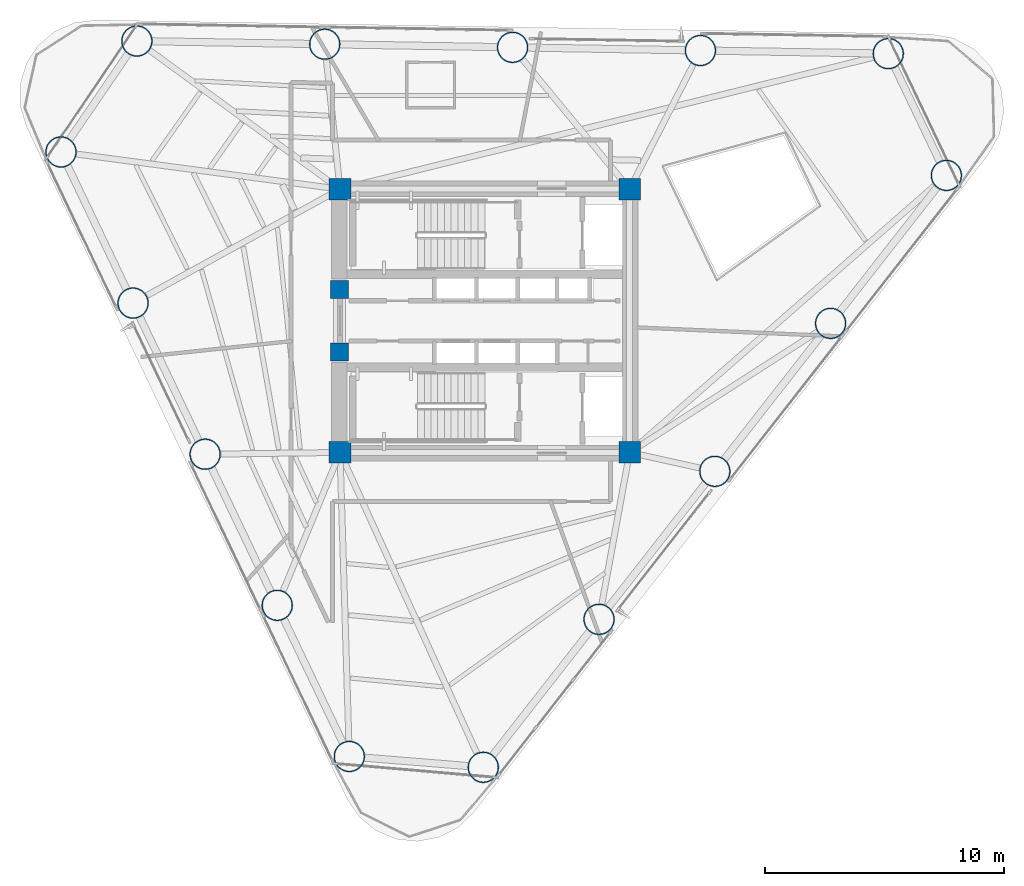
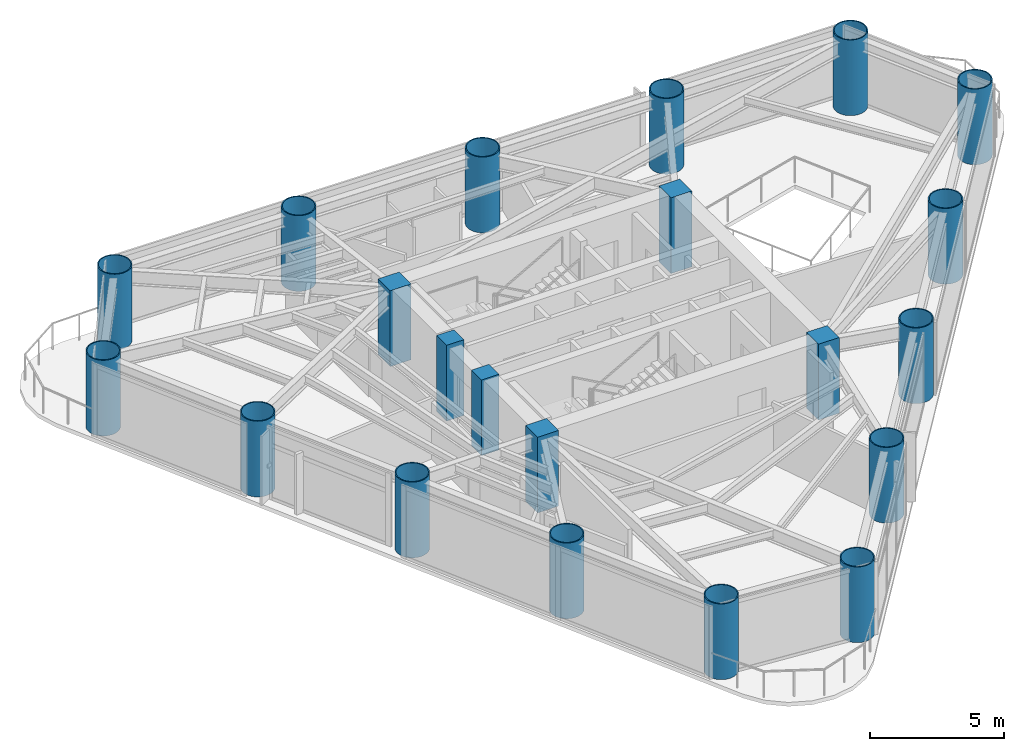
# One storey, part 1 of 10: 21 columns.
"""IFC4 building model written with IfcOpenShell, lengths in metres."""

import ifcopenshell
import ifcopenshell.guid

model = None  # the IFC model being written
_history = None  # IfcOwnerHistory: only IFC2X3 demands one
_inside = {}  # id of a spatial element -> (the spatial element, [elements in it])
_under = {}  # id of a project, library or spatial element -> (it, [spatial elements below it])
_declared = {}  # id of a project -> (the project, [libraries it declares])
_typed = {}  # id of a type object -> (the type object, [elements of that type])
_made_of = {}  # id of a material, layer set ... -> (it, [elements and type objects made of it])


def new_model(schema):
    """Start an empty IFC model of exactly this schema.

    Asked for "IFC4X3", IfcOpenShell would pick the latest addendum, in which some entities
    have other attributes; the version numbers below select the first issue.
    IFC2X3 requires an IfcOwnerHistory on every rooted entity: one is made here for all.
    """
    global model, _history
    if schema == "IFC4X3":
        model = ifcopenshell.file(schema_version=(4, 3, 0, 0))
    else:
        model = ifcopenshell.file(schema=schema)
    _inside.clear()
    _under.clear()
    _declared.clear()
    _typed.clear()
    _made_of.clear()
    _history = None
    if model.schema == "IFC2X3":
        org = make("IfcOrganization", Name="unknown")
        user = make(
            "IfcPersonAndOrganization",
            ThePerson=make("IfcPerson", FamilyName="unknown"),
            TheOrganization=org,
        )
        app = make(
            "IfcApplication",
            ApplicationDeveloper=org,
            Version="unknown",
            ApplicationFullName="unknown",
            ApplicationIdentifier="unknown",
        )
        _history = make(
            "IfcOwnerHistory",
            OwningUser=user,
            OwningApplication=app,
            ChangeAction="ADDED",
            CreationDate=0,
        )
    return model


def make(cls, **values):
    """One entity of the class cls with the attributes given. An attribute that is None is left unset."""
    return model.create_entity(
        cls, **{name: value for name, value in values.items() if value is not None}
    )


def rooted(cls, **values):
    """An entity with a GlobalId (a new one), such as an element, a storey or a relation."""
    return make(cls, GlobalId=ifcopenshell.guid.new(), OwnerHistory=_history, **values)


def si_unit(unit_type, name, prefix=None):
    """IfcSIUnit, for example si_unit("LENGTHUNIT", "METRE", prefix="MILLI")."""
    return make("IfcSIUnit", UnitType=unit_type, Prefix=prefix, Name=name)


def assignment(units):
    """IfcUnitAssignment: the units of a project."""
    return None if units is None else make("IfcUnitAssignment", Units=units)


def point(xyz):
    """IfcCartesianPoint."""
    return None if xyz is None else make("IfcCartesianPoint", Coordinates=xyz)


def direction(xyz):
    """IfcDirection."""
    return None if xyz is None else make("IfcDirection", DirectionRatios=xyz)


def frame(location, z_axis=None, x_axis=None):
    """IfcAxis2Placement3D, a coordinate frame: its origin and axes. An axis left out is left unset."""
    return make(
        "IfcAxis2Placement3D",
        Location=point(location),
        Axis=direction(z_axis),
        RefDirection=direction(x_axis),
    )


def frame_2d(location, x_axis=None):
    """IfcAxis2Placement2D, a coordinate frame in the plane: its origin and x axis."""
    return make(
        "IfcAxis2Placement2D", Location=point(location), RefDirection=direction(x_axis)
    )


def origin():
    """The frame at (0, 0, 0) with its axes left unset."""
    return frame((0.0, 0.0, 0.0))


def origin_2d():
    """The frame at (0, 0) in the plane with its x axis left unset."""
    return frame_2d((0.0, 0.0))


def place(relative_to, where):
    """IfcLocalPlacement: puts the frame where relative to a parent placement (None: the world)."""
    return make(
        "IfcLocalPlacement", PlacementRelTo=relative_to, RelativePlacement=where
    )


def context(
    kind, dimensions, precision=None, world=None, true_north=None, identifier=None
):
    """IfcGeometricRepresentationContext, for example the 3D "Model" context."""
    return make(
        "IfcGeometricRepresentationContext",
        ContextIdentifier=identifier,
        ContextType=kind,
        CoordinateSpaceDimension=dimensions,
        Precision=precision,
        WorldCoordinateSystem=world,
        TrueNorth=true_north,
    )


def subcontext(parent, identifier, kind, view, scale=None):
    """IfcGeometricRepresentationSubContext, for example "Body" below "Model"."""
    return make(
        "IfcGeometricRepresentationSubContext",
        ContextIdentifier=identifier,
        ContextType=kind,
        ParentContext=parent,
        TargetScale=scale,
        TargetView=view,
    )


def project(units=None, contexts=None):
    """IfcProject with its units and contexts."""
    return rooted(
        "IfcProject",
        Name="project",
        RepresentationContexts=contexts,
        UnitsInContext=assignment(units),
    )


def spatial(cls, under=None, at=None, **own):
    """A site, building, storey or space (cls), placed at a placement, below another one or the project."""
    s = rooted(cls, ObjectPlacement=at, **own)
    if under is not None:
        _under.setdefault(under.id(), (under, []))[1].append(s)
    return s


def profile(cls, at=None, kind="AREA", **sizes):
    """A parametric profile (cls). Its sizes go by their IFC names, for example OverallWidth=200.0."""
    return make(cls, ProfileType=kind, Position=at, **sizes)


def rectangle(**sizes):
    """IfcRectangleProfileDef."""
    return profile("IfcRectangleProfileDef", **sizes)


def hollow_circle(**sizes):
    """IfcCircleHollowProfileDef."""
    return profile("IfcCircleHollowProfileDef", **sizes)


def extrude(swept, where, along, depth):
    """IfcExtrudedAreaSolid: the profile swept, set in the frame where, extruded along a direction by depth."""
    return make(
        "IfcExtrudedAreaSolid",
        SweptArea=swept,
        Position=where,
        ExtrudedDirection=direction(along),
        Depth=depth,
    )


def shape(context_of_items, identifier, shape_type, items):
    """IfcShapeRepresentation: the items that make up one representation, for example the "Body"."""
    return make(
        "IfcShapeRepresentation",
        ContextOfItems=context_of_items,
        RepresentationIdentifier=identifier,
        RepresentationType=shape_type,
        Items=items,
    )


def source(mapping_origin, context_of_items, identifier, shape_type, items):
    """IfcRepresentationMap: a shape defined once, which mapped items show again and again."""
    return make(
        "IfcRepresentationMap",
        MappingOrigin=mapping_origin,
        MappedRepresentation=shape(context_of_items, identifier, shape_type, items),
    )


def transform(
    local_origin,
    x_axis=None,
    y_axis=None,
    z_axis=None,
    scale=None,
    scale2=None,
    scale3=None,
    uniform=True,
):
    """IfcCartesianTransformationOperator3D, or its non-uniform kind. x_axis, y_axis, z_axis: its Axis1, 2, 3."""
    if uniform:
        return make(
            "IfcCartesianTransformationOperator3D",
            Axis1=direction(x_axis),
            Axis2=direction(y_axis),
            LocalOrigin=point(local_origin),
            Scale=scale,
            Axis3=direction(z_axis),
        )
    return make(
        "IfcCartesianTransformationOperator3DnonUniform",
        Axis1=direction(x_axis),
        Axis2=direction(y_axis),
        LocalOrigin=point(local_origin),
        Scale=scale,
        Axis3=direction(z_axis),
        Scale2=scale2,
        Scale3=scale3,
    )


def mapped(mapping_source, mapping_target):
    """IfcMappedItem: shows the shape of a source again, moved by a transform."""
    return make(
        "IfcMappedItem", MappingSource=mapping_source, MappingTarget=mapping_target
    )


def material(Name=None, Category=None):
    """IfcMaterial."""
    return make("IfcMaterial", Name=Name, Category=Category)


def material_profile(
    of_material, cross_section, Name=None, Category=None, Priority=None
):
    """IfcMaterialProfile: a cross section and its material."""
    return make(
        "IfcMaterialProfile",
        Name=Name,
        Material=of_material,
        Profile=cross_section,
        Priority=Priority,
        Category=Category,
    )


def profile_set(profiles, Name=None, composite=None):
    """IfcMaterialProfileSet."""
    return make(
        "IfcMaterialProfileSet",
        Name=Name,
        MaterialProfiles=profiles,
        CompositeProfile=composite,
    )


def made_of(thing, what):
    """Note that an element or type object is made of a material, layer set ...; save() writes the relation."""
    if what is not None:
        _made_of.setdefault(what.id(), (what, []))[1].append(thing)
    return thing


def type_object(cls, material=None, **own):
    """A type object (cls), such as IfcWallType, which elements share."""
    return made_of(rooted(cls, **own), material)


def element(
    cls,
    number,
    at=None,
    inside=None,
    cuts=None,
    type_object=None,
    material=None,
    context=None,
    identifier="Body",
    shape_type=None,
    held_by="IfcProductDefinitionShape",
    body=None,
    shapes=None,
    **own,
):
    """One element of the class cls, such as IfcWall. Its Tag is "e" and its number.

    at: its placement. inside: the storey or other place that contains it. cuts: it is an
    opening in that element (IfcRelVoidsElement). A single representation is given by context,
    identifier, shape_type and body (its items); several are given by shapes. held_by: the class
    of the entity that holds the representations. save() writes the other relations.
    """
    e = rooted(cls, Tag="e%d" % number, ObjectPlacement=at, **own)
    if body is not None:
        shapes = [shape(context, identifier, shape_type, body)]
    if shapes is not None:
        e.Representation = make(held_by, Representations=shapes)
    if inside is not None:
        _inside.setdefault(inside.id(), (inside, []))[1].append(e)
    if cuts is not None:
        rooted(
            "IfcRelVoidsElement", RelatingBuildingElement=cuts, RelatedOpeningElement=e
        )
    if type_object is not None:
        _typed.setdefault(type_object.id(), (type_object, []))[1].append(e)
    return made_of(e, material)


def aggregate(whole, parts):
    """IfcRelAggregates: a whole, such as a stair, and the parts it consists of."""
    return rooted("IfcRelAggregates", RelatingObject=whole, RelatedObjects=parts)


def save(model, path):
    """Write the relations noted so far, then the file.

    IfcRelAggregates (storeys below a building ...), IfcRelContainedInSpatialStructure (elements
    in a storey), IfcRelDefinesByType, IfcRelAssociatesMaterial and IfcRelDeclares: one each for
    every whole, place, type object, material and project.
    """
    for whole, parts in _under.values():
        aggregate(whole, parts)
    for where, things in _inside.values():
        rooted(
            "IfcRelContainedInSpatialStructure",
            RelatedElements=things,
            RelatingStructure=where,
        )
    for kind, things in _typed.values():
        rooted("IfcRelDefinesByType", RelatedObjects=things, RelatingType=kind)
    for what, things in _made_of.values():
        rooted("IfcRelAssociatesMaterial", RelatedObjects=things, RelatingMaterial=what)
    for by, libraries in _declared.values():
        rooted("IfcRelDeclares", RelatingContext=by, RelatedDefinitions=libraries)
    model.write(path)


model = new_model("IFC4")

# Units and contexts
model_context = context("Model", 3, precision=1e-05, world=origin(), true_north=direction((0.0, 1.0)))
body_context = subcontext(model_context, "Body", "Model", "MODEL_VIEW")
ifc_project = project(units=[si_unit("LENGTHUNIT", "METRE"), si_unit("AREAUNIT", "SQUARE_METRE"), si_unit("VOLUMEUNIT", "CUBIC_METRE"), si_unit("PLANEANGLEUNIT", "RADIAN"), si_unit("MASSUNIT", "GRAM", prefix="KILO")], contexts=[model_context])

# Site, building, storey
site_placement = place(None, origin())
site = spatial("IfcSite", under=ifc_project, at=site_placement, CompositionType="ELEMENT")
building_placement = place(site_placement, origin())
building = spatial("IfcBuilding", under=site, at=building_placement, Name="Yunling Apex Tower", CompositionType="ELEMENT")
storey_placement = place(building_placement, frame((0.0, 0.0, 132.949951171875)))
storey = spatial("IfcBuildingStorey", under=building, at=storey_placement, Name="L32", CompositionType="ELEMENT", Elevation=132.949951171875)

# Columns
ifc_material_1 = material(Name="Concrete C60", Category="concrete")
ifc_material_profile_1 = material_profile(ifc_material_1, rectangle(XDim=0.89990234375, YDim=0.89990234375, at=origin_2d()))
ifc_profile_set_1 = profile_set([ifc_material_profile_1], Name="Concrete C60")
column_type_1 = type_object("IfcColumnType", Name="PC-SRC-3", PredefinedType="COLUMN", material=ifc_profile_set_1)
shared_shape_1 = source(origin(), body_context, "Body", "SweptSolid", [
    extrude(rectangle(XDim=0.89990234375, YDim=0.89990234375, at=origin_2d()), origin(), (0.0, 0.0, 1.0), 3.449951171875),
])
for number, where, z_axis, x_axis, name in (
    (1, (-6.050048828125, -5.5, 0.0), (0.0, 0.0, 1.0), (1.0, 0.0, 0.0), "L32 Core Spine Column CC-SW"),
    (2, (6.050048828125, -5.5, 0.0), (0.0, 0.0, 1.0), (1.0, 0.0, 0.0), "L32 Core Spine Column CC-SE"),
    (3, (6.050048828125, 5.5, 0.0), (0.0, 0.0, 1.0), (1.0, 0.0, 0.0), "L32 Core Spine Column CC-NE"),
    (4, (-6.050048828125, 5.5, 0.0), (0.0, 0.0, 1.0), (1.0, 0.0, 0.0), "L32 Core Spine Column CC-NW"),
):
    element("IfcColumn", number, at=place(storey_placement, frame(where, z_axis=z_axis, x_axis=x_axis)), inside=storey, type_object=column_type_1, Name=name, PredefinedType="COLUMN", context=body_context, shape_type="MappedRepresentation", body=[
        mapped(shared_shape_1, transform((0.0, 0.0, 0.0), scale=1.0)),
    ])
ifc_material_2 = material(Name="Concrete C50", Category="concrete")
ifc_material_profile_2 = material_profile(ifc_material_2, rectangle(XDim=0.75, YDim=0.75, at=origin_2d()))
ifc_profile_set_2 = profile_set([ifc_material_profile_2], Name="Concrete C50")
column_type_2 = type_object("IfcColumnType", Name="PC-SRC-4", PredefinedType="COLUMN", material=ifc_profile_set_2)
shared_shape_2 = source(origin(), body_context, "Body", "SweptSolid", [
    extrude(rectangle(XDim=0.75, YDim=0.75, at=origin_2d()), origin(), (0.0, 0.0, 1.0), 3.449951171875),
])
for number, where, z_axis, x_axis, name in (
    (5, (-6.074951171875, -1.300048828125, 0.0), (0.0, 0.0, 1.0), (1.0, 0.0, 0.0), "L32 Core West Portal Jamb Column S"),
    (6, (-6.074951171875, 1.300048828125, 0.0), (0.0, 0.0, 1.0), (1.0, 0.0, 0.0), "L32 Core West Portal Jamb Column N"),
):
    element("IfcColumn", number, at=place(storey_placement, frame(where, z_axis=z_axis, x_axis=x_axis)), inside=storey, type_object=column_type_2, Name=name, PredefinedType="COLUMN", context=body_context, shape_type="MappedRepresentation", body=[
        mapped(shared_shape_2, transform((0.0, 0.0, 0.0), scale=1.0)),
    ])
ifc_material_3 = material(Name="Steel Q390GJC", Category="steel")
ifc_material_profile_3 = material_profile(ifc_material_3, hollow_circle(Radius=0.64990234375, WallThickness=0.044921875, at=origin_2d()))
ifc_profile_set_3 = profile_set([ifc_material_profile_3], Name="Steel Q390GJC")
column_type_3 = type_object("IfcColumnType", Name="MC-CFST-3", PredefinedType="COLUMN", material=ifc_profile_set_3)
shared_shape_3 = source(origin(), body_context, "Body", "SweptSolid", [
    extrude(hollow_circle(Radius=0.64990234375, WallThickness=0.044921875, at=origin_2d()), origin(), (0.0, 0.0, 1.0), 3.449951171875),
])
for number, where, z_axis, x_axis, name in (
    (7, (-0.06396484375, -18.654541015625, 0.0), (0.0, 0.0, 1.0), (1.0, 0.0, 0.0), "L32 Perimeter CFST Mega-Column P01"),
    (8, (4.773193359375, -12.471923828125, 0.0), (0.0, 0.0, 1.0), (1.0, 0.0, 0.0), "L32 Perimeter CFST Mega-Column P02"),
    (9, (9.610595703125, -6.289306640625, 0.0), (0.0, 0.0, 1.0), (1.0, 0.0, 0.0), "L32 Perimeter CFST Mega-Column P03"),
    (10, (14.447998046875, -0.106689453125, 0.0), (0.0, 0.0, 1.0), (1.0, 0.0, 0.0), "L32 Perimeter CFST Mega-Column P04"),
    (11, (19.28515625, 6.075927734375, 0.0), (0.0, 0.0, 1.0), (1.0, 0.0, 0.0), "L32 Perimeter CFST Mega-Column P05"),
    (12, (16.8583984375, 11.163818359375, 0.0), (0.0, 0.0, 1.0), (1.0, 0.0, 0.0), "L32 Perimeter CFST Mega-Column P06"),
    (13, (9.009521484375, 11.295166015625, 0.0), (0.0, 0.0, 1.0), (1.0, 0.0, 0.0), "L32 Perimeter CFST Mega-Column P07"),
    (14, (1.160400390625, 11.4267578125, 0.0), (0.0, 0.0, 1.0), (1.0, 0.0, 0.0), "L32 Perimeter CFST Mega-Column P08"),
    (15, (-6.6884765625, 11.558349609375, 0.0), (0.0, 0.0, 1.0), (1.0, 0.0, 0.0), "L32 Perimeter CFST Mega-Column P09"),
    (16, (-14.53759765625, 11.68994140625, 0.0), (0.0, 0.0, 1.0), (1.0, 0.0, 0.0), "L32 Perimeter CFST Mega-Column P10"),
    (17, (-17.70849609375, 7.0546875, 0.0), (0.0, 0.0, 1.0), (1.0, 0.0, 0.0), "L32 Perimeter CFST Mega-Column P11"),
    (18, (-14.69677734375, 0.740478515625, 0.0), (0.0, 0.0, 1.0), (1.0, 0.0, 0.0), "L32 Perimeter CFST Mega-Column P12"),
    (19, (-11.685302734375, -5.573486328125, 0.0), (0.0, 0.0, 1.0), (1.0, 0.0, 0.0), "L32 Perimeter CFST Mega-Column P13"),
    (20, (-8.673583984375, -11.8876953125, 0.0), (0.0, 0.0, 1.0), (1.0, 0.0, 0.0), "L32 Perimeter CFST Mega-Column P14"),
    (21, (-5.661865234375, -18.201904296875, 0.0), (0.0, 0.0, 1.0), (1.0, 0.0, 0.0), "L32 Perimeter CFST Mega-Column P15"),
):
    element("IfcColumn", number, at=place(storey_placement, frame(where, z_axis=z_axis, x_axis=x_axis)), inside=storey, type_object=column_type_3, Name=name, PredefinedType="COLUMN", context=body_context, shape_type="MappedRepresentation", body=[
        mapped(shared_shape_3, transform((0.0, 0.0, 0.0), scale=1.0)),
    ])

save(model, "model.ifc")
